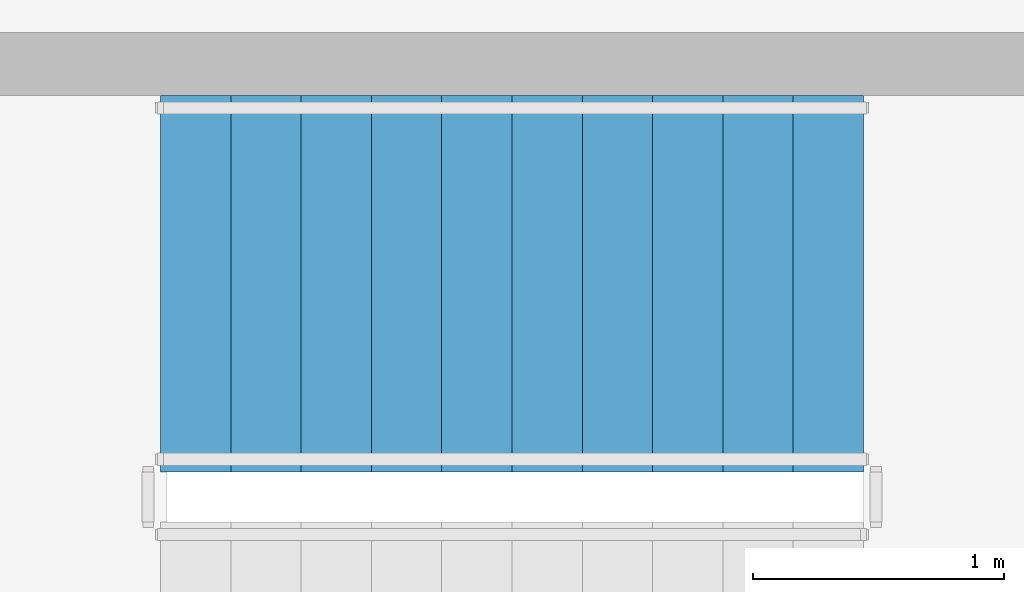
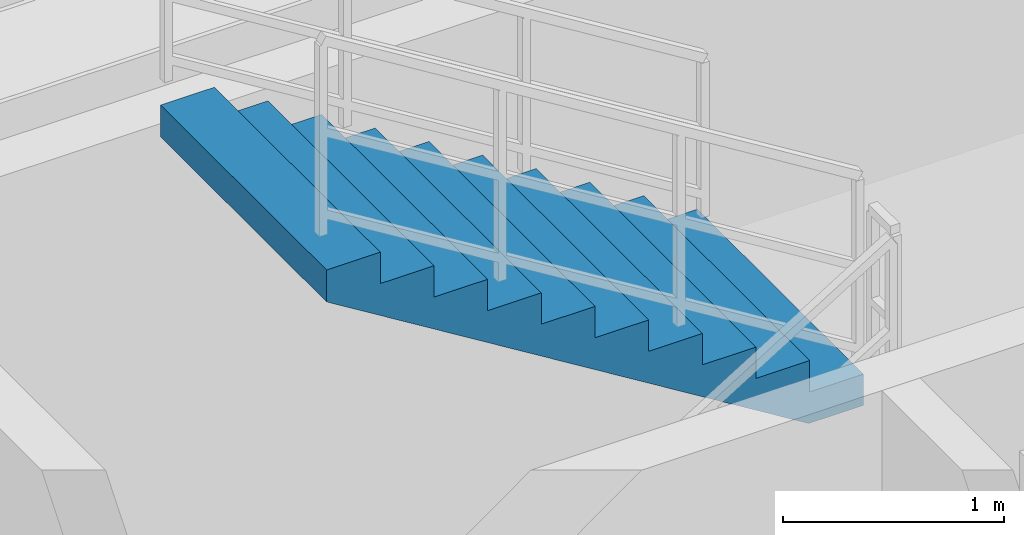
# One storey, part 6 of 9: 1 stair flight, 1 element without a shape of its own.
"""IFC4 building model written with IfcOpenShell, lengths in metres."""

from ifc_helpers import new_model, si_unit, direction, frame, origin, place, context, subcontext, project, spatial, polyline, outline, extrude, material, type_object, element, aggregate, save


model = new_model("IFC4")

# Units and contexts
model_context = context("Model", 3, precision=1e-05, world=origin(), true_north=direction((0.0, 1.0)))
body_context = subcontext(model_context, "Body", "Model", "MODEL_VIEW")
ifc_project = project(units=[si_unit("LENGTHUNIT", "METRE"), si_unit("AREAUNIT", "SQUARE_METRE"), si_unit("VOLUMEUNIT", "CUBIC_METRE"), si_unit("PLANEANGLEUNIT", "RADIAN"), si_unit("MASSUNIT", "GRAM", prefix="KILO")], contexts=[model_context])

# Site, building, storey
site_placement = place(None, origin())
site = spatial("IfcSite", under=ifc_project, at=site_placement, CompositionType="ELEMENT")
building_placement = place(site_placement, origin())
building = spatial("IfcBuilding", under=site, at=building_placement, Name="Zulverin Broadcast Headquarters", CompositionType="ELEMENT")
storey_placement = place(building_placement, frame((0.0, 0.0, 74.39990234375)))
storey = spatial("IfcBuildingStorey", under=building, at=storey_placement, Name="L18", CompositionType="ELEMENT", Elevation=74.39990234375)

# Stair, stair flight
ifc_material = material(Name="Concrete C40/50", Category="concrete")
stair_type = type_object("IfcStairType", Name="ST-CORE-1500", PredefinedType="HALF_TURN_STAIR", material=ifc_material)
stair_placement = place(storey_placement, origin())
stair = element("IfcStair", 1, at=stair_placement, inside=storey, type_object=stair_type, Name="L18 Core Exit Stair ST-1", PredefinedType="HALF_TURN_STAIR")
stair_flight_type = type_object("IfcStairFlightType", Name="SF-CORE-1500", PredefinedType="STRAIGHT", material=ifc_material)
stair_flight_placement = place(storey_placement, frame((42.929931640625, 31.5, 1.900146484375), z_axis=(0.0, 0.0, 1.0), x_axis=(-1.0, 0.0, 0.0)))
stair_flight = element("IfcStairFlight", 2, at=stair_flight_placement, type_object=stair_flight_type, Name="ST-1 flight 2", NumberOfRisers=11, NumberOfTreads=10, PredefinedType="STRAIGHT", RiserHeight=0.172727273, TreadLength=0.28, context=body_context, shape_type="SweptSolid", body=[
    extrude(outline(polyline([(0.0, 0.0), (0.0, 0.172607421875), (0.280029296875, 0.172607421875), (0.280029296875, 0.345458984375), (0.56005859375, 0.345458984375), (0.56005859375, 0.51806640625), (0.840087890625, 0.51806640625), (0.840087890625, 0.69091796875), (1.1201171875, 0.69091796875), (1.1201171875, 0.863525390625), (1.39990234375, 0.863525390625), (1.39990234375, 1.036376953125), (1.679931640625, 1.036376953125), (1.679931640625, 1.208984375), (1.9599609375, 1.208984375), (1.9599609375, 1.3818359375), (2.239990234375, 1.3818359375), (2.239990234375, 1.554443359375), (2.52001953125, 1.554443359375), (2.52001953125, 1.727294921875), (2.800048828125, 1.727294921875), (2.800048828125, 1.89990234375), (2.800048828125, 1.551025390625), (0.285400390625, 0.0), (0.0, 0.0)])), frame((0.0, 0.75, 0.0), z_axis=(0.0, -1.0, 0.0), x_axis=(1.0, 0.0, 0.0)), (0.0, 0.0, 1.0), 1.5),
])
aggregate(stair, [stair_flight])

save(model, "model.ifc")
